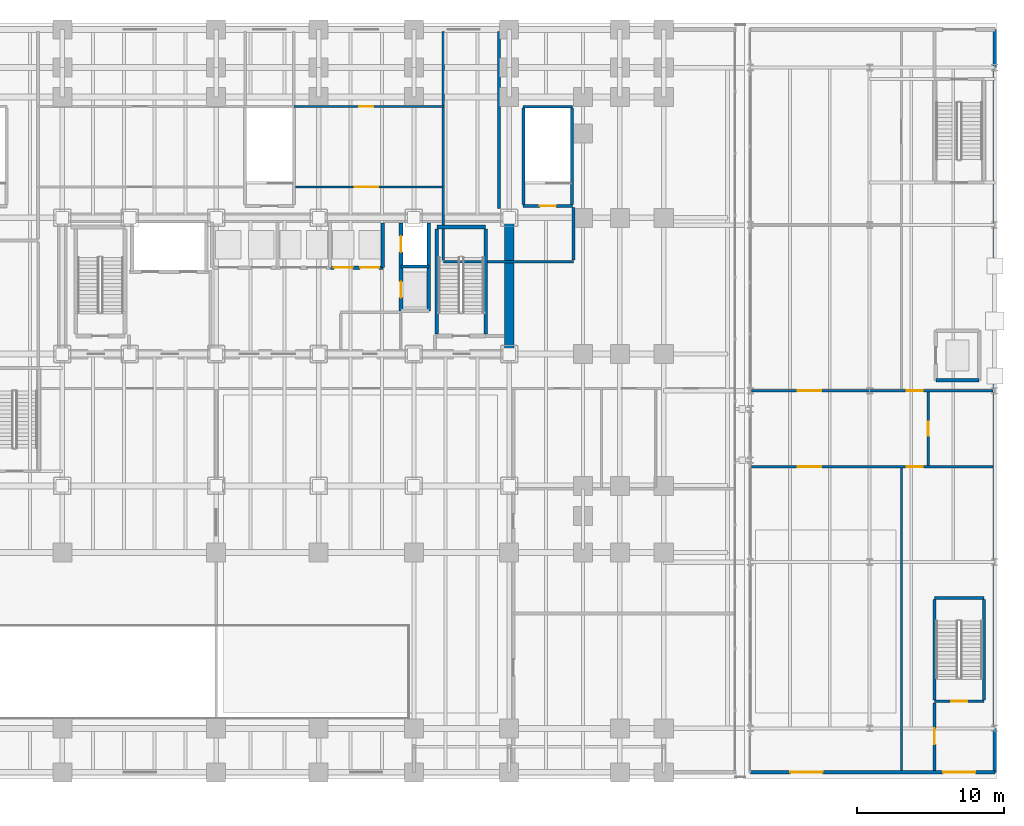
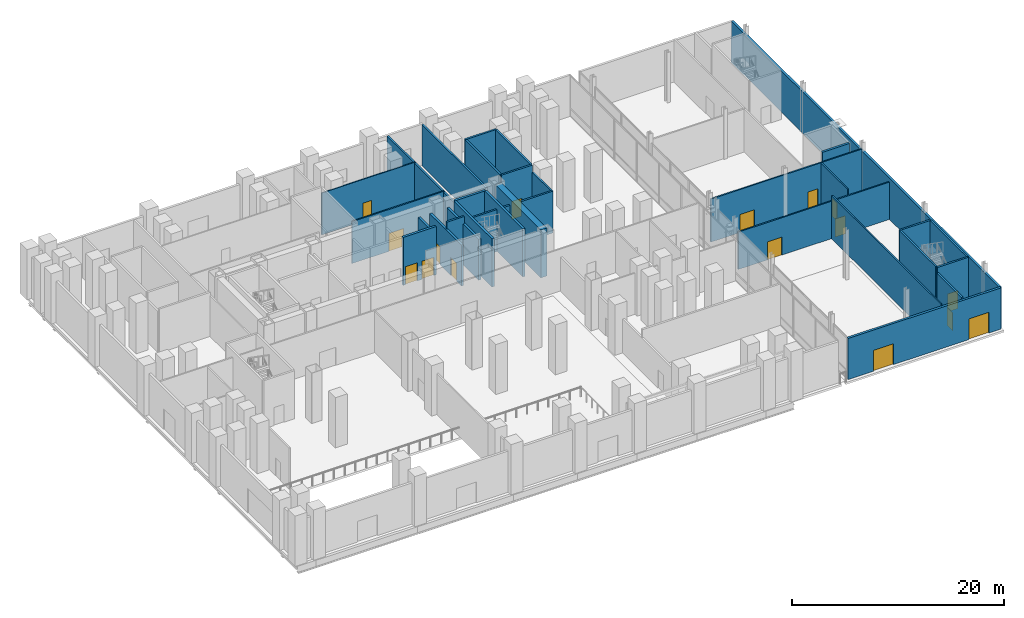
# One storey, part 25 of 36: 31 walls, 16 doors, 16 openings.
"""IFC4 building model written with IfcOpenShell, lengths in metres."""

from ifc_helpers import new_model, si_unit, direction, frame, frame_2d, origin, place, context, subcontext, project, spatial, rectangle, extrude, material, layer, layer_set, type_object, element, fill, save


model = new_model("IFC4")

# Units and contexts
model_context = context("Model", 3, precision=1e-05, world=origin(), true_north=direction((0.0, 1.0)))
body_context = subcontext(model_context, "Body", "Model", "MODEL_VIEW")
ifc_project = project(units=[si_unit("LENGTHUNIT", "METRE"), si_unit("AREAUNIT", "SQUARE_METRE"), si_unit("VOLUMEUNIT", "CUBIC_METRE"), si_unit("PLANEANGLEUNIT", "RADIAN"), si_unit("MASSUNIT", "GRAM", prefix="KILO")], contexts=[model_context])

# Site, building, storey
site_placement = place(None, origin())
site = spatial("IfcSite", under=ifc_project, at=site_placement, CompositionType="ELEMENT")
building_placement = place(site_placement, origin())
building = spatial("IfcBuilding", under=site, at=building_placement, Name="Noeulbin Bourse Tower", CompositionType="ELEMENT")
storey_placement = place(building_placement, origin())
storey = spatial("IfcBuildingStorey", under=building, at=storey_placement, Name="L01", CompositionType="ELEMENT", Elevation=0.0)

# Wall
ifc_material_1 = material(Name="Concrete C60/75", Category="concrete")
ifc_layer_1 = layer(ifc_material_1, 0.64990234375)
ifc_layer_set_1 = layer_set([ifc_layer_1], Name="Concrete C60/75")
wall_type_1 = type_object("IfcWallType", Name="WAL-CORE-650", PredefinedType="SHEAR", material=ifc_layer_set_1)
wall_1_placement = place(storey_placement, frame((44.0, 29.35009765625, 0.0), z_axis=(0.0, 0.0, 1.0), x_axis=(0.0, 1.0, 0.0)))
element("IfcWall", 1, at=wall_1_placement, inside=storey, type_object=wall_type_1, Name="Rear Core East Shear Wall L01", PredefinedType="SHEAR", context=body_context, shape_type="SweptSolid", body=[
    extrude(rectangle(XDim=8.599853515625, YDim=0.64990234375, at=frame_2d((4.2998046875, 0.0))), origin(), (0.0, 0.0, 1.0), 5.550048828125),
])

# Wall, openings, doors
ifc_material_2 = material(Name="Precast Concrete C40/50", Category="concrete")
ifc_layer_2 = layer(ifc_material_2, 0.25)
ifc_layer_set_2 = layer_set([ifc_layer_2], Name="Precast Concrete C40/50")
wall_type_2 = type_object("IfcWallType", Name="WAL-EXT-250", PredefinedType="STANDARD", material=ifc_layer_set_2)
wall_2_placement = place(storey_placement, frame((60.449951171875, 0.449951171875, 0.0), z_axis=(0.0, 0.0, 1.0), x_axis=(1.0, 0.0, 0.0)))
wall_2 = element("IfcWall", 2, at=wall_2_placement, inside=storey, type_object=wall_type_2, Name="Market Hall Ground South Wall", PredefinedType="STANDARD", context=body_context, shape_type="SweptSolid", body=[
    extrude(rectangle(XDim=16.699951171875, YDim=0.25, at=frame_2d((8.35009765625, 0.0))), origin(), (0.0, 0.0, 1.0), 4.75),
])
opening_1_placement = place(wall_2_placement, frame((2.75, 0.0, 0.0)))
opening_1 = element("IfcOpeningElement", 3, at=opening_1_placement, cuts=wall_2, Name="Opening ED-22", PredefinedType="OPENING", context=body_context, shape_type="SweptSolid", body=[
    extrude(rectangle(XDim=2.199951171875, YDim=2.39990234375, at=frame_2d((1.10009765625, 1.199951171875))), frame((0.0, 0.135009765625, 0.0), z_axis=(0.0, -1.0, 0.0), x_axis=(1.0, 0.0, 0.0)), (0.0, 0.0, 1.0), 0.27001953125),
])
opening_2_placement = place(wall_2_placement, frame((13.169921875, 0.0, 0.0)))
opening_2 = element("IfcOpeningElement", 4, at=opening_2_placement, cuts=wall_2, Name="Opening ED-22", PredefinedType="OPENING", context=body_context, shape_type="SweptSolid", body=[
    extrude(rectangle(XDim=2.199951171875, YDim=2.39990234375, at=frame_2d((1.10009765625, 1.199951171875))), frame((0.0, 0.135009765625, 0.0), z_axis=(0.0, -1.0, 0.0), x_axis=(1.0, 0.0, 0.0)), (0.0, 0.0, 1.0), 0.27001953125),
])
ifc_material_3 = material(Name="Anodised Aluminium Framed Toughened Glass", Category="aluminium")
door_type_1 = type_object("IfcDoorType", Name="DR-EXT-2200", OperationType="DOUBLE_DOOR_SINGLE_SWING", PredefinedType="DOOR", material=ifc_material_3)
door_1_placement = place(opening_1_placement, frame((2.199951171875, 0.0, 0.0), z_axis=(0.0, 0.0, 1.0), x_axis=(-1.0, 0.0, 0.0)))
door_1 = element("IfcDoor", 5, at=door_1_placement, inside=storey, type_object=door_type_1, Name="Market Hall Plaza Exit Portal ED-M1", OperationType="DOUBLE_DOOR_SINGLE_SWING", OverallHeight=2.39990234375, OverallWidth=2.199951171875, PredefinedType="DOOR", context=body_context, shape_type="SweptSolid", body=[
    extrude(rectangle(XDim=2.199951171875, YDim=2.39990234375, at=frame_2d((1.10009765625, 1.199951171875))), frame((0.0, 0.02490234375, 0.0), z_axis=(0.0, -1.0, 0.0), x_axis=(1.0, 0.0, 0.0)), (0.0, 0.0, 1.0), 0.050048828125),
])
fill(opening_1, door_1)
door_2_placement = place(opening_2_placement, frame((2.199951171875, 0.0, 0.0), z_axis=(0.0, 0.0, 1.0), x_axis=(-1.0, 0.0, 0.0)))
door_2 = element("IfcDoor", 6, at=door_2_placement, inside=storey, type_object=door_type_1, Name="Market Stair MST1 Direct Street Exit Portal ED-M2", OperationType="DOUBLE_DOOR_SINGLE_SWING", OverallHeight=2.39990234375, OverallWidth=2.199951171875, PredefinedType="DOOR", context=body_context, shape_type="SweptSolid", body=[
    extrude(rectangle(XDim=2.199951171875, YDim=2.39990234375, at=frame_2d((1.10009765625, 1.199951171875))), frame((0.0, 0.02490234375, 0.0), z_axis=(0.0, -1.0, 0.0), x_axis=(1.0, 0.0, 0.0)), (0.0, 0.0, 1.0), 0.050048828125),
])
fill(opening_2, door_2)

# Wall
wall_3_placement = place(storey_placement, frame((77.14990234375, 0.449951171875, 0.0), z_axis=(0.0, 0.0, 1.0), x_axis=(0.0, 1.0, 0.0)))
element("IfcWall", 7, at=wall_3_placement, inside=storey, type_object=wall_type_2, Name="Market Hall Ground East Wall", PredefinedType="STANDARD", context=body_context, shape_type="SweptSolid", body=[
    extrude(rectangle(XDim=50.699951171875, YDim=0.25, at=frame_2d((25.35009765625, 0.0))), origin(), (0.0, 0.0, 1.0), 4.75),
])

# Wall, opening, door
ifc_material_4 = material(Name="Concrete C40/50", Category="concrete")
ifc_layer_3 = layer(ifc_material_4, 0.199951171875)
ifc_layer_set_3 = layer_set([ifc_layer_3], Name="Concrete C40/50")
wall_type_3 = type_object("IfcWallType", Name="WAL-FIRE-200", PredefinedType="STANDARD", material=ifc_layer_set_3)
wall_4_placement = place(storey_placement, frame((44.9599609375, 39.10009765625, 0.0), z_axis=(0.0, 0.0, 1.0), x_axis=(1.0, 0.0, 0.0)))
wall_4 = element("IfcWall", 8, at=wall_4_placement, inside=storey, type_object=wall_type_3, Name="Stair STS3 South Wall L01", PredefinedType="STANDARD", context=body_context, shape_type="SweptSolid", body=[
    extrude(rectangle(XDim=3.360107421875, YDim=0.199951171875, at=frame_2d((1.68017578125, 0.0))), origin(), (0.0, 0.0, 1.0), 5.550048828125),
])
opening_3_placement = place(wall_4_placement, frame((1.1298828125, 0.0, 0.0)))
opening_3 = element("IfcOpeningElement", 9, at=opening_3_placement, cuts=wall_4, Name="Opening FD-11", PredefinedType="OPENING", context=body_context, shape_type="SweptSolid", body=[
    extrude(rectangle(XDim=1.10009765625, YDim=2.080078125, at=frame_2d((0.550048828125, 1.0400390625))), frame((0.0, 0.10986328125, 0.0), z_axis=(0.0, -1.0, 0.0), x_axis=(1.0, 0.0, 0.0)), (0.0, 0.0, 1.0), 0.219970703125),
])
ifc_material_5 = material(Name="Fire-Rated Insulated Steel", Category="steel")
door_type_2 = type_object("IfcDoorType", Name="DR-FD60-1100", OperationType="SINGLE_SWING_LEFT", PredefinedType="DOOR", material=ifc_material_5)
door_3_placement = place(opening_3_placement, origin())
door_3 = element("IfcDoor", 10, at=door_3_placement, inside=storey, type_object=door_type_2, Name="Escape Stair Door STS3-L01", OperationType="SINGLE_SWING_RIGHT", OverallHeight=2.080078125, OverallWidth=1.10009765625, PredefinedType="DOOR", context=body_context, shape_type="SweptSolid", body=[
    extrude(rectangle(XDim=1.10009765625, YDim=2.080078125, at=frame_2d((0.550048828125, 1.0400390625))), frame((0.0, 0.02490234375, 0.0), z_axis=(0.0, -1.0, 0.0), x_axis=(1.0, 0.0, 0.0)), (0.0, 0.0, 1.0), 0.050048828125),
])
fill(opening_3, door_3)

# Walls
wall_5_placement = place(storey_placement, frame((44.9599609375, 45.8798828125, 0.0), z_axis=(0.0, 0.0, 1.0), x_axis=(1.0, 0.0, 0.0)))
element("IfcWall", 11, at=wall_5_placement, inside=storey, type_object=wall_type_3, Name="Stair STS3 North Wall L01", PredefinedType="STANDARD", context=body_context, shape_type="SweptSolid", body=[
    extrude(rectangle(XDim=3.360107421875, YDim=0.199951171875, at=frame_2d((1.68017578125, 0.0))), origin(), (0.0, 0.0, 1.0), 5.550048828125),
])
for number, where, z_axis, x_axis, name in (
    (12, (44.97998046875, 39.199951171875, 0.0), (0.0, 0.0, 1.0), (0.0, 1.0, 0.0), "Stair STS3 West Wall L01"),
    (13, (48.300048828125, 39.199951171875, 0.0), (0.0, 0.0, 1.0), (0.0, 1.0, 0.0), "Stair STS3 East Wall L01"),
):
    element("IfcWall", number, at=place(storey_placement, frame(where, z_axis=z_axis, x_axis=x_axis)), inside=storey, type_object=wall_type_3, Name=name, PredefinedType="STANDARD", context=body_context, shape_type="SweptSolid", body=[
        extrude(rectangle(XDim=6.580078125, YDim=0.199951171875, at=frame_2d((3.2900390625, 0.0))), origin(), (0.0, 0.0, 1.0), 5.550048828125),
    ])

# Wall, opening, door
wall_6_placement = place(storey_placement, frame((73.02001953125, 5.300048828125, 0.0), z_axis=(0.0, 0.0, 1.0), x_axis=(1.0, 0.0, 0.0)))
wall_6 = element("IfcWall", 14, at=wall_6_placement, inside=storey, type_object=wall_type_3, Name="Stair MST1 South Wall L01", PredefinedType="STANDARD", context=body_context, shape_type="SweptSolid", body=[
    extrude(rectangle(XDim=3.39990234375, YDim=0.199951171875, at=frame_2d((1.699951171875, 0.0))), origin(), (0.0, 0.0, 1.0), 5.580078125),
])
opening_4_placement = place(wall_6_placement, frame((1.14990234375, 0.0, 0.0)))
opening_4 = element("IfcOpeningElement", 15, at=opening_4_placement, cuts=wall_6, Name="Opening FD-11", PredefinedType="OPENING", context=body_context, shape_type="SweptSolid", body=[
    extrude(rectangle(XDim=1.10009765625, YDim=2.080078125, at=frame_2d((0.550048828125, 1.0400390625))), frame((0.0, 0.10986328125, 0.0), z_axis=(0.0, -1.0, 0.0), x_axis=(1.0, 0.0, 0.0)), (0.0, 0.0, 1.0), 0.219970703125),
])
door_4_placement = place(opening_4_placement, origin())
door_4 = element("IfcDoor", 16, at=door_4_placement, inside=storey, type_object=door_type_2, Name="Escape Stair Door MST1-L01", OperationType="SINGLE_SWING_RIGHT", OverallHeight=2.080078125, OverallWidth=1.10009765625, PredefinedType="DOOR", context=body_context, shape_type="SweptSolid", body=[
    extrude(rectangle(XDim=1.10009765625, YDim=2.080078125, at=frame_2d((0.550048828125, 1.0400390625))), frame((0.0, 0.02490234375, 0.0), z_axis=(0.0, -1.0, 0.0), x_axis=(1.0, 0.0, 0.0)), (0.0, 0.0, 1.0), 0.050048828125),
])
fill(opening_4, door_4)

# Walls
wall_7_placement = place(storey_placement, frame((73.02001953125, 12.360107421875, 0.0), z_axis=(0.0, 0.0, 1.0), x_axis=(1.0, 0.0, 0.0)))
element("IfcWall", 17, at=wall_7_placement, inside=storey, type_object=wall_type_3, Name="Stair MST1 North Wall L01", PredefinedType="STANDARD", context=body_context, shape_type="SweptSolid", body=[
    extrude(rectangle(XDim=3.39990234375, YDim=0.199951171875, at=frame_2d((1.699951171875, 0.0))), origin(), (0.0, 0.0, 1.0), 5.580078125),
])
for number, where, z_axis, x_axis, name in (
    (18, (73.0400390625, 5.39990234375, 0.0), (0.0, 0.0, 1.0), (0.0, 1.0, 0.0), "Stair MST1 West Wall L01"),
    (19, (76.39990234375, 5.39990234375, 0.0), (0.0, 0.0, 1.0), (0.0, 1.0, 0.0), "Stair MST1 East Wall L01"),
):
    element("IfcWall", number, at=place(storey_placement, frame(where, z_axis=z_axis, x_axis=x_axis)), inside=storey, type_object=wall_type_3, Name=name, PredefinedType="STANDARD", context=body_context, shape_type="SweptSolid", body=[
        extrude(rectangle(XDim=6.860107421875, YDim=0.199951171875, at=frame_2d((3.43017578125, 0.0))), origin(), (0.0, 0.0, 1.0), 5.580078125),
    ])
wall_8_placement = place(storey_placement, frame((39.5, 35.300048828125, 0.0), z_axis=(0.0, 0.0, 1.0), x_axis=(1.0, 0.0, 0.0)))
element("IfcWall", 20, at=wall_8_placement, inside=storey, type_object=wall_type_3, Name="Interior Partition Wall L01-05", PredefinedType="STANDARD", context=body_context, shape_type="SweptSolid", body=[
    extrude(rectangle(XDim=8.89990234375, YDim=0.199951171875, at=frame_2d((4.449951171875, 0.0))), origin(), (0.0, 0.0, 1.0), 4.830078125),
])
wall_9_placement = place(storey_placement, frame((48.39990234375, 35.409912109375, 0.0), z_axis=(0.0, 0.0, 1.0), x_axis=(0.0, 1.0, 0.0)))
element("IfcWall", 21, at=wall_9_placement, inside=storey, type_object=wall_type_3, Name="Interior Partition Wall L01-22", PredefinedType="STANDARD", context=body_context, shape_type="SweptSolid", body=[
    extrude(rectangle(XDim=3.580078125, YDim=0.199951171875, at=frame_2d((1.7900390625, 0.0))), origin(), (0.0, 0.0, 1.0), 4.72998046875),
])
wall_10_placement = place(storey_placement, frame((39.5, 35.409912109375, 0.0), z_axis=(0.0, 0.0, 1.0), x_axis=(0.0, 1.0, 0.0)))
element("IfcWall", 22, at=wall_10_placement, inside=storey, type_object=wall_type_3, Name="Interior Partition Wall L01-23", PredefinedType="STANDARD", context=body_context, shape_type="SweptSolid", body=[
    extrude(rectangle(XDim=15.6201171875, YDim=0.199951171875, at=frame_2d((7.81005859375, 0.0))), origin(), (0.0, 0.0, 1.0), 4.72998046875),
])
wall_11_placement = place(storey_placement, frame((43.300048828125, 38.949951171875, 0.0), z_axis=(0.0, 0.0, 1.0), x_axis=(0.0, 1.0, 0.0)))
element("IfcWall", 23, at=wall_11_placement, inside=storey, type_object=wall_type_3, Name="Interior Partition Wall L01-24", PredefinedType="STANDARD", context=body_context, shape_type="SweptSolid", body=[
    extrude(rectangle(XDim=12.080078125, YDim=0.199951171875, at=frame_2d((6.0400390625, 0.0))), origin(), (0.0, 0.0, 1.0), 4.72998046875),
])

# Wall, opening, door
wall_12_placement = place(storey_placement, frame((73.0400390625, 0.570068359375, 0.0), z_axis=(0.0, 0.0, 1.0), x_axis=(0.0, 1.0, 0.0)))
wall_12 = element("IfcWall", 24, at=wall_12_placement, inside=storey, type_object=wall_type_3, Name="Interior Partition Wall L01-25", PredefinedType="STANDARD", context=body_context, shape_type="SweptSolid", body=[
    extrude(rectangle(XDim=4.619873046875, YDim=0.199951171875, at=frame_2d((2.31005859375, 0.0))), origin(), (0.0, 0.0, 1.0), 4.9599609375),
])
opening_5_placement = place(wall_12_placement, frame((1.780029296875, 0.0, 0.0)))
opening_5 = element("IfcOpeningElement", 25, at=opening_5_placement, cuts=wall_12, Name="Opening FD-11", PredefinedType="OPENING", context=body_context, shape_type="SweptSolid", body=[
    extrude(rectangle(XDim=1.10009765625, YDim=2.080078125, at=frame_2d((0.550048828125, 1.0400390625))), frame((0.0, 0.10986328125, 0.0), z_axis=(0.0, -1.0, 0.0), x_axis=(1.0, 0.0, 0.0)), (0.0, 0.0, 1.0), 0.219970703125),
])
door_5_placement = place(opening_5_placement, origin())
door_5 = element("IfcDoor", 26, at=door_5_placement, inside=storey, type_object=door_type_2, Name="Market Stair Exit Passageway Door", OperationType="SINGLE_SWING_LEFT", OverallHeight=2.080078125, OverallWidth=1.10009765625, PredefinedType="DOOR", context=body_context, shape_type="SweptSolid", body=[
    extrude(rectangle(XDim=1.10009765625, YDim=2.080078125, at=frame_2d((0.550048828125, 1.0400390625))), frame((0.0, 0.02490234375, 0.0), z_axis=(0.0, -1.0, 0.0), x_axis=(1.0, 0.0, 0.0)), (0.0, 0.0, 1.0), 0.050048828125),
])
fill(opening_5, door_5)

ifc_material_6 = material(Name="Steel Stud Gypsum Partition", Category="steel")
ifc_layer_4 = layer(ifc_material_6, 0.1201171875)
ifc_layer_set_4 = layer_set([ifc_layer_4], Name="Steel Stud Gypsum Partition")
wall_type_4 = type_object("IfcWallType", Name="WAL-PRT-120", PredefinedType="PARTITIONING", material=ifc_layer_set_4)
wall_13_placement = place(storey_placement, frame((29.300048828125, 45.89990234375, 0.0), z_axis=(0.0, 0.0, 1.0), x_axis=(1.0, 0.0, 0.0)))
wall_13 = element("IfcWall", 27, at=wall_13_placement, inside=storey, type_object=wall_type_4, Name="Interior Partition Wall L01-04", PredefinedType="PARTITIONING", context=body_context, shape_type="SweptSolid", body=[
    extrude(rectangle(XDim=10.199951171875, YDim=0.1201171875, at=frame_2d((5.10009765625, 0.0))), origin(), (0.0, 0.0, 1.0), 4.830078125),
])
opening_6_placement = place(wall_13_placement, frame((4.47509765625, 0.0, 0.0)))
opening_6 = element("IfcOpeningElement", 28, at=opening_6_placement, cuts=wall_13, Name="Opening ID-09", PredefinedType="OPENING", context=body_context, shape_type="SweptSolid", body=[
    extrude(rectangle(XDim=0.949951171875, YDim=2.080078125, at=frame_2d((0.47509765625, 1.0400390625))), frame((0.0, 0.070068359375, 0.0), z_axis=(0.0, -1.0, 0.0), x_axis=(1.0, 0.0, 0.0)), (0.0, 0.0, 1.0), 0.14013671875),
])
ifc_material_7 = material(Name="Acoustic Solid-Core Timber", Category="wood")
door_type_3 = type_object("IfcDoorType", Name="DR-SINGLE-950", OperationType="SINGLE_SWING_LEFT", PredefinedType="DOOR", material=ifc_material_7)
door_6_placement = place(opening_6_placement, origin())
door_6 = element("IfcDoor", 29, at=door_6_placement, inside=storey, type_object=door_type_3, Name="Interior Door L01-14", OperationType="SINGLE_SWING_RIGHT", OverallHeight=2.080078125, OverallWidth=0.949951171875, PredefinedType="DOOR", context=body_context, shape_type="SweptSolid", body=[
    extrude(rectangle(XDim=0.949951171875, YDim=2.080078125, at=frame_2d((0.47509765625, 1.0400390625))), frame((0.0, 0.02490234375, 0.0), z_axis=(0.0, -1.0, 0.0), x_axis=(1.0, 0.0, 0.0)), (0.0, 0.0, 1.0), 0.050048828125),
])
fill(opening_6, door_6)

ifc_material_8 = material(Name="Steel Stud Acoustic Gypsum Board", Category="steel")
ifc_layer_5 = layer(ifc_material_8, 0.14990234375)
ifc_layer_set_5 = layer_set([ifc_layer_5], Name="Steel Stud Acoustic Gypsum Board")
wall_type_5 = type_object("IfcWallType", Name="WAL-PRT-150", PredefinedType="PARTITIONING", material=ifc_layer_set_5)
wall_14_placement = place(storey_placement, frame((29.409912109375, 40.39990234375, 0.0), z_axis=(0.0, 0.0, 1.0), x_axis=(1.0, 0.0, 0.0)))
wall_14 = element("IfcWall", 30, at=wall_14_placement, inside=storey, type_object=wall_type_5, Name="Interior Partition Wall L01-10", PredefinedType="PARTITIONING", context=body_context, shape_type="SweptSolid", body=[
    extrude(rectangle(XDim=10.090087890625, YDim=0.14990234375, at=frame_2d((5.044921875, 0.0))), origin(), (0.0, 0.0, 1.0), 4.830078125),
])
opening_7_placement = place(wall_14_placement, frame((4.0400390625, 0.0, 0.0)))
opening_7 = element("IfcOpeningElement", 31, at=opening_7_placement, cuts=wall_14, Name="Opening ID-16", PredefinedType="OPENING", context=body_context, shape_type="SweptSolid", body=[
    extrude(rectangle(XDim=1.60009765625, YDim=2.080078125, at=frame_2d((0.800048828125, 1.0400390625))), frame((0.0, 0.0849609375, 0.0), z_axis=(0.0, -1.0, 0.0), x_axis=(1.0, 0.0, 0.0)), (0.0, 0.0, 1.0), 0.169921875),
])
ifc_material_9 = material(Name="Acoustic Glazed Aluminium", Category="aluminium")
door_type_4 = type_object("IfcDoorType", Name="DR-DBL-1600", OperationType="DOUBLE_DOOR_SINGLE_SWING", PredefinedType="DOOR", material=ifc_material_9)
door_7_placement = place(opening_7_placement, origin())
door_7 = element("IfcDoor", 32, at=door_7_placement, inside=storey, type_object=door_type_4, Name="Interior Door L01-12", OperationType="DOUBLE_DOOR_SINGLE_SWING", OverallHeight=2.080078125, OverallWidth=1.60009765625, PredefinedType="DOOR", context=body_context, shape_type="SweptSolid", body=[
    extrude(rectangle(XDim=1.60009765625, YDim=2.080078125, at=frame_2d((0.800048828125, 1.0400390625))), frame((0.0, 0.02490234375, 0.0), z_axis=(0.0, -1.0, 0.0), x_axis=(1.0, 0.0, 0.0)), (0.0, 0.0, 1.0), 0.050048828125),
])
fill(opening_7, door_7)

# Wall, openings, doors
wall_15_placement = place(storey_placement, frame((60.530029296875, 21.300048828125, 0.0), z_axis=(0.0, 0.0, 1.0), x_axis=(1.0, 0.0, 0.0)))
wall_15 = element("IfcWall", 33, at=wall_15_placement, inside=storey, type_object=wall_type_5, Name="Interior Partition Wall L01-11", PredefinedType="PARTITIONING", context=body_context, shape_type="SweptSolid", body=[
    extrude(rectangle(XDim=16.5, YDim=0.14990234375, at=frame_2d((8.25, 0.0))), origin(), (0.0, 0.0, 1.0), 4.31005859375),
])
opening_8_placement = place(wall_15_placement, frame((3.169921875, 0.0, 0.0)))
opening_8 = element("IfcOpeningElement", 34, at=opening_8_placement, cuts=wall_15, Name="Opening ID-16", PredefinedType="OPENING", context=body_context, shape_type="SweptSolid", body=[
    extrude(rectangle(XDim=1.60009765625, YDim=2.080078125, at=frame_2d((0.800048828125, 1.0400390625))), frame((0.0, 0.0849609375, 0.0), z_axis=(0.0, -1.0, 0.0), x_axis=(1.0, 0.0, 0.0)), (0.0, 0.0, 1.0), 0.169921875),
])
opening_9_placement = place(wall_15_placement, frame((10.60009765625, 0.0, 0.0)))
opening_9 = element("IfcOpeningElement", 35, at=opening_9_placement, cuts=wall_15, Name="Opening FD-11", PredefinedType="OPENING", context=body_context, shape_type="SweptSolid", body=[
    extrude(rectangle(XDim=1.10009765625, YDim=2.080078125, at=frame_2d((0.550048828125, 1.0400390625))), frame((0.0, 0.0849609375, 0.0), z_axis=(0.0, -1.0, 0.0), x_axis=(1.0, 0.0, 0.0)), (0.0, 0.0, 1.0), 0.169921875),
])
door_8_placement = place(opening_8_placement, origin())
door_8 = element("IfcDoor", 36, at=door_8_placement, inside=storey, type_object=door_type_4, Name="Interior Door L01-15", OperationType="DOUBLE_DOOR_SINGLE_SWING", OverallHeight=2.080078125, OverallWidth=1.60009765625, PredefinedType="DOOR", context=body_context, shape_type="SweptSolid", body=[
    extrude(rectangle(XDim=1.60009765625, YDim=2.080078125, at=frame_2d((0.800048828125, 1.0400390625))), frame((0.0, 0.02490234375, 0.0), z_axis=(0.0, -1.0, 0.0), x_axis=(1.0, 0.0, 0.0)), (0.0, 0.0, 1.0), 0.050048828125),
])
fill(opening_8, door_8)
door_9_placement = place(opening_9_placement, origin())
door_9 = element("IfcDoor", 37, at=door_9_placement, inside=storey, type_object=door_type_2, Name="Interior Door L01-18", OperationType="SINGLE_SWING_RIGHT", OverallHeight=2.080078125, OverallWidth=1.10009765625, PredefinedType="DOOR", context=body_context, shape_type="SweptSolid", body=[
    extrude(rectangle(XDim=1.10009765625, YDim=2.080078125, at=frame_2d((0.550048828125, 1.0400390625))), frame((0.0, 0.02490234375, 0.0), z_axis=(0.0, -1.0, 0.0), x_axis=(1.0, 0.0, 0.0)), (0.0, 0.0, 1.0), 0.050048828125),
])
fill(opening_9, door_9)

wall_16_placement = place(storey_placement, frame((60.530029296875, 26.5, 0.0), z_axis=(0.0, 0.0, 1.0), x_axis=(1.0, 0.0, 0.0)))
wall_16 = element("IfcWall", 38, at=wall_16_placement, inside=storey, type_object=wall_type_5, Name="Interior Partition Wall L01-12", PredefinedType="PARTITIONING", context=body_context, shape_type="SweptSolid", body=[
    extrude(rectangle(XDim=16.5, YDim=0.14990234375, at=frame_2d((8.25, 0.0))), origin(), (0.0, 0.0, 1.0), 4.9599609375),
])
opening_10_placement = place(wall_16_placement, frame((3.169921875, 0.0, 0.0)))
opening_10 = element("IfcOpeningElement", 39, at=opening_10_placement, cuts=wall_16, Name="Opening ID-16", PredefinedType="OPENING", context=body_context, shape_type="SweptSolid", body=[
    extrude(rectangle(XDim=1.60009765625, YDim=2.080078125, at=frame_2d((0.800048828125, 1.0400390625))), frame((0.0, 0.0849609375, 0.0), z_axis=(0.0, -1.0, 0.0), x_axis=(1.0, 0.0, 0.0)), (0.0, 0.0, 1.0), 0.169921875),
])
opening_11_placement = place(wall_16_placement, frame((10.60009765625, 0.0, 0.0)))
opening_11 = element("IfcOpeningElement", 40, at=opening_11_placement, cuts=wall_16, Name="Opening FD-11", PredefinedType="OPENING", context=body_context, shape_type="SweptSolid", body=[
    extrude(rectangle(XDim=1.10009765625, YDim=2.080078125, at=frame_2d((0.550048828125, 1.0400390625))), frame((0.0, 0.0849609375, 0.0), z_axis=(0.0, -1.0, 0.0), x_axis=(1.0, 0.0, 0.0)), (0.0, 0.0, 1.0), 0.169921875),
])
door_10_placement = place(opening_10_placement, origin())
door_10 = element("IfcDoor", 41, at=door_10_placement, inside=storey, type_object=door_type_4, Name="Interior Door L01-16", OperationType="DOUBLE_DOOR_SINGLE_SWING", OverallHeight=2.080078125, OverallWidth=1.60009765625, PredefinedType="DOOR", context=body_context, shape_type="SweptSolid", body=[
    extrude(rectangle(XDim=1.60009765625, YDim=2.080078125, at=frame_2d((0.800048828125, 1.0400390625))), frame((0.0, 0.02490234375, 0.0), z_axis=(0.0, -1.0, 0.0), x_axis=(1.0, 0.0, 0.0)), (0.0, 0.0, 1.0), 0.050048828125),
])
fill(opening_10, door_10)
door_11_placement = place(opening_11_placement, origin())
door_11 = element("IfcDoor", 42, at=door_11_placement, inside=storey, type_object=door_type_2, Name="Interior Door L01-19", OperationType="SINGLE_SWING_LEFT", OverallHeight=2.080078125, OverallWidth=1.10009765625, PredefinedType="DOOR", context=body_context, shape_type="SweptSolid", body=[
    extrude(rectangle(XDim=1.10009765625, YDim=2.080078125, at=frame_2d((0.550048828125, 1.0400390625))), frame((0.0, 0.02490234375, 0.0), z_axis=(0.0, -1.0, 0.0), x_axis=(1.0, 0.0, 0.0)), (0.0, 0.0, 1.0), 0.050048828125),
])
fill(opening_11, door_11)

# Wall, opening, door
wall_17_placement = place(storey_placement, frame((72.60009765625, 21.385009765625, 0.0), z_axis=(0.0, 0.0, 1.0), x_axis=(0.0, 1.0, 0.0)))
wall_17 = element("IfcWall", 43, at=wall_17_placement, inside=storey, type_object=wall_type_5, Name="Interior Partition Wall L01-32", PredefinedType="PARTITIONING", context=body_context, shape_type="SweptSolid", body=[
    extrude(rectangle(XDim=5.030029296875, YDim=0.14990234375, at=frame_2d((2.51513671875, 0.0))), origin(), (0.0, 0.0, 1.0), 4.9599609375),
])
opening_12_placement = place(wall_17_placement, frame((2.0400390625, 0.0, 0.0)))
opening_12 = element("IfcOpeningElement", 44, at=opening_12_placement, cuts=wall_17, Name="Opening ID-09", PredefinedType="OPENING", context=body_context, shape_type="SweptSolid", body=[
    extrude(rectangle(XDim=0.949951171875, YDim=2.080078125, at=frame_2d((0.47509765625, 1.0400390625))), frame((0.0, 0.0849609375, 0.0), z_axis=(0.0, -1.0, 0.0), x_axis=(1.0, 0.0, 0.0)), (0.0, 0.0, 1.0), 0.169921875),
])
door_12_placement = place(opening_12_placement, origin())
door_12 = element("IfcDoor", 45, at=door_12_placement, inside=storey, type_object=door_type_3, Name="Market Ground Washroom Door", OperationType="SINGLE_SWING_RIGHT", OverallHeight=2.080078125, OverallWidth=0.949951171875, PredefinedType="DOOR", context=body_context, shape_type="SweptSolid", body=[
    extrude(rectangle(XDim=0.949951171875, YDim=2.080078125, at=frame_2d((0.47509765625, 1.0400390625))), frame((0.0, 0.02490234375, 0.0), z_axis=(0.0, -1.0, 0.0), x_axis=(1.0, 0.0, 0.0)), (0.0, 0.0, 1.0), 0.050048828125),
])
fill(opening_12, door_12)

# Walls
wall_18_placement = place(storey_placement, frame((70.780029296875, 0.570068359375, 0.0), z_axis=(0.0, 0.0, 1.0), x_axis=(0.0, 1.0, 0.0)))
element("IfcWall", 46, at=wall_18_placement, inside=storey, type_object=wall_type_5, Name="Interior Partition Wall L01-33", PredefinedType="PARTITIONING", context=body_context, shape_type="SweptSolid", body=[
    extrude(rectangle(XDim=20.64501953125, YDim=0.14990234375, at=frame_2d((10.322509765625, 0.0))), origin(), (0.0, 0.0, 1.0), 4.9599609375),
])
ifc_layer_6 = layer(ifc_material_4, 0.25)
ifc_layer_set_6 = layer_set([ifc_layer_6], Name="Concrete C40/50")
wall_type_6 = type_object("IfcWallType", Name="WAL-SHFT-250", PredefinedType="STANDARD", material=ifc_layer_set_6)
wall_19_placement = place(storey_placement, frame((39.06005859375, 37.6689453125, 0.0), z_axis=(0.0, 0.0, 1.0), x_axis=(1.0, 0.0, 0.0)))
element("IfcWall", 47, at=wall_19_placement, inside=storey, type_object=wall_type_6, Name="Stair ST-2 North Shaft Wall L01", PredefinedType="STANDARD", context=body_context, shape_type="SweptSolid", body=[
    extrude(rectangle(XDim=3.33984375, YDim=0.25, at=frame_2d((1.669921875, 0.0))), origin(), (0.0, 0.0, 1.0), 5.550048828125),
])
for number, where, z_axis, x_axis, name in (
    (48, (39.054931640625, 30.360107421875, 0.0), (0.0, 0.0, 1.0), (0.0, 1.0, 0.0), "Stair ST-2 West Shaft Wall L01"),
    (49, (42.405029296875, 30.360107421875, 0.0), (0.0, 0.0, 1.0), (0.0, 1.0, 0.0), "Stair ST-2 East Shaft Wall L01"),
):
    element("IfcWall", number, at=place(storey_placement, frame(where, z_axis=z_axis, x_axis=x_axis)), inside=storey, type_object=wall_type_6, Name=name, PredefinedType="STANDARD", context=body_context, shape_type="SweptSolid", body=[
        extrude(rectangle(XDim=7.183837890625, YDim=0.25, at=frame_2d((3.591796875, 0.0))), origin(), (0.0, 0.0, 1.0), 5.550048828125),
    ])

# Wall, openings, doors
wall_20_placement = place(storey_placement, frame((36.6201171875, 31.949951171875, 0.0), z_axis=(0.0, 0.0, 1.0), x_axis=(0.0, 1.0, 0.0)))
wall_20 = element("IfcWall", 50, at=wall_20_placement, inside=storey, type_object=wall_type_6, Name="Service Lift Shaft Wall L01", PredefinedType="STANDARD", context=body_context, shape_type="SweptSolid", body=[
    extrude(rectangle(XDim=6.0, YDim=0.25, at=frame_2d((3.0, 0.0))), origin(), (0.0, 0.0, 1.0), 4.72998046875),
])
opening_13_placement = place(wall_20_placement, frame((0.89990234375, 0.0, 0.0)))
opening_13 = element("IfcOpeningElement", 51, at=opening_13_placement, cuts=wall_20, Name="Opening LD-11", PredefinedType="OPENING", context=body_context, shape_type="SweptSolid", body=[
    extrude(rectangle(XDim=1.10009765625, YDim=2.080078125, at=frame_2d((0.550048828125, 1.0400390625))), frame((0.0, 0.135009765625, 0.0), z_axis=(0.0, -1.0, 0.0), x_axis=(1.0, 0.0, 0.0)), (0.0, 0.0, 1.0), 0.27001953125),
])
opening_14_placement = place(wall_20_placement, frame((4.0, 0.0, 0.0)))
opening_14 = element("IfcOpeningElement", 52, at=opening_14_placement, cuts=wall_20, Name="Opening LD-11", PredefinedType="OPENING", context=body_context, shape_type="SweptSolid", body=[
    extrude(rectangle(XDim=1.10009765625, YDim=2.080078125, at=frame_2d((0.550048828125, 1.0400390625))), frame((0.0, 0.135009765625, 0.0), z_axis=(0.0, -1.0, 0.0), x_axis=(1.0, 0.0, 0.0)), (0.0, 0.0, 1.0), 0.27001953125),
])
ifc_material_10 = material(Name="Brushed Stainless Steel 316", Category="steel")
door_type_5 = type_object("IfcDoorType", Name="DR-LIFT-1100", OperationType="SLIDING_TO_LEFT", PredefinedType="DOOR", material=ifc_material_10)
door_13_placement = place(opening_13_placement, origin())
door_13 = element("IfcDoor", 53, at=door_13_placement, inside=storey, type_object=door_type_5, Name="Lift Landing Door LD-EL-01-L01", OperationType="SLIDING_TO_LEFT", OverallHeight=2.080078125, OverallWidth=1.10009765625, PredefinedType="DOOR", context=body_context, shape_type="SweptSolid", body=[
    extrude(rectangle(XDim=1.10009765625, YDim=2.080078125, at=frame_2d((0.550048828125, 1.0400390625))), frame((0.0, 0.02490234375, 0.0), z_axis=(0.0, -1.0, 0.0), x_axis=(1.0, 0.0, 0.0)), (0.0, 0.0, 1.0), 0.050048828125),
])
fill(opening_13, door_13)
door_14_placement = place(opening_14_placement, origin())
door_14 = element("IfcDoor", 54, at=door_14_placement, inside=storey, type_object=door_type_5, Name="Lift Landing Door LD-SV-01-L01", OperationType="SLIDING_TO_LEFT", OverallHeight=2.080078125, OverallWidth=1.10009765625, PredefinedType="DOOR", context=body_context, shape_type="SweptSolid", body=[
    extrude(rectangle(XDim=1.10009765625, YDim=2.080078125, at=frame_2d((0.550048828125, 1.0400390625))), frame((0.0, 0.02490234375, 0.0), z_axis=(0.0, -1.0, 0.0), x_axis=(1.0, 0.0, 0.0)), (0.0, 0.0, 1.0), 0.050048828125),
])
fill(opening_14, door_14)

# Walls
wall_21_placement = place(storey_placement, frame((38.52001953125, 31.949951171875, 0.0), z_axis=(0.0, 0.0, 1.0), x_axis=(0.0, 1.0, 0.0)))
element("IfcWall", 55, at=wall_21_placement, inside=storey, type_object=wall_type_6, Name="Service Lift East Shaft Wall L01", PredefinedType="STANDARD", context=body_context, shape_type="SweptSolid", body=[
    extrude(rectangle(XDim=6.0, YDim=0.25, at=frame_2d((3.0, 0.0))), origin(), (0.0, 0.0, 1.0), 4.72998046875),
])
wall_22_placement = place(storey_placement, frame((35.360107421875, 34.89990234375, 0.0), z_axis=(0.0, 0.0, 1.0), x_axis=(0.0, 1.0, 0.0)))
element("IfcWall", 56, at=wall_22_placement, inside=storey, type_object=wall_type_6, Name="High-Rise Lift East Shaft Wall L01", PredefinedType="STANDARD", context=body_context, shape_type="SweptSolid", body=[
    extrude(rectangle(XDim=3.050048828125, YDim=0.25, at=frame_2d((1.52490234375, 0.0))), origin(), (0.0, 0.0, 1.0), 4.72998046875),
])

# Wall, openings, doors
wall_23_placement = place(storey_placement, frame((31.800048828125, 34.89990234375, 0.0), z_axis=(0.0, 0.0, 1.0), x_axis=(1.0, 0.0, 0.0)))
wall_23 = element("IfcWall", 57, at=wall_23_placement, inside=storey, type_object=wall_type_6, Name="High-Rise Lift Bank Front L01", PredefinedType="STANDARD", context=body_context, shape_type="SweptSolid", body=[
    extrude(rectangle(XDim=3.599853515625, YDim=0.25, at=frame_2d((1.7998046875, 0.0))), origin(), (0.0, 0.0, 1.0), 5.550048828125),
])
opening_15_placement = place(wall_23_placement, frame((0.22998046875, 0.0, 0.0)))
opening_15 = element("IfcOpeningElement", 58, at=opening_15_placement, cuts=wall_23, Name="Opening LD-13", PredefinedType="OPENING", context=body_context, shape_type="SweptSolid", body=[
    extrude(rectangle(XDim=1.300048828125, YDim=2.080078125, at=frame_2d((0.64990234375, 1.0400390625))), frame((0.0, 0.135009765625, 0.0), z_axis=(0.0, -1.0, 0.0), x_axis=(1.0, 0.0, 0.0)), (0.0, 0.0, 1.0), 0.27001953125),
])
opening_16_placement = place(wall_23_placement, frame((2.030029296875, 0.0, 0.0)))
opening_16 = element("IfcOpeningElement", 59, at=opening_16_placement, cuts=wall_23, Name="Opening LD-13", PredefinedType="OPENING", context=body_context, shape_type="SweptSolid", body=[
    extrude(rectangle(XDim=1.300048828125, YDim=2.080078125, at=frame_2d((0.64990234375, 1.0400390625))), frame((0.0, 0.135009765625, 0.0), z_axis=(0.0, -1.0, 0.0), x_axis=(1.0, 0.0, 0.0)), (0.0, 0.0, 1.0), 0.27001953125),
])
door_type_6 = type_object("IfcDoorType", Name="DR-LIFT-1300", OperationType="DOUBLE_DOOR_SLIDING", PredefinedType="DOOR", material=ifc_material_10)
door_15_placement = place(opening_15_placement, origin())
door_15 = element("IfcDoor", 60, at=door_15_placement, inside=storey, type_object=door_type_6, Name="Lift Landing Door LD-PL-H1-L01", OperationType="DOUBLE_DOOR_SLIDING", OverallHeight=2.080078125, OverallWidth=1.300048828125, PredefinedType="DOOR", context=body_context, shape_type="SweptSolid", body=[
    extrude(rectangle(XDim=1.300048828125, YDim=2.080078125, at=frame_2d((0.64990234375, 1.0400390625))), frame((0.0, 0.02490234375, 0.0), z_axis=(0.0, -1.0, 0.0), x_axis=(1.0, 0.0, 0.0)), (0.0, 0.0, 1.0), 0.050048828125),
])
fill(opening_15, door_15)
door_16_placement = place(opening_16_placement, origin())
door_16 = element("IfcDoor", 61, at=door_16_placement, inside=storey, type_object=door_type_6, Name="Lift Landing Door LD-PL-H2-L01", OperationType="DOUBLE_DOOR_SLIDING", OverallHeight=2.080078125, OverallWidth=1.300048828125, PredefinedType="DOOR", context=body_context, shape_type="SweptSolid", body=[
    extrude(rectangle(XDim=1.300048828125, YDim=2.080078125, at=frame_2d((0.64990234375, 1.0400390625))), frame((0.0, 0.02490234375, 0.0), z_axis=(0.0, -1.0, 0.0), x_axis=(1.0, 0.0, 0.0)), (0.0, 0.0, 1.0), 0.050048828125),
])
fill(opening_16, door_16)

# Walls
wall_24_placement = place(storey_placement, frame((73.1201171875, 27.219970703125, 0.0), z_axis=(0.0, 0.0, 1.0), x_axis=(1.0, 0.0, 0.0)))
element("IfcWall", 62, at=wall_24_placement, inside=storey, type_object=wall_type_6, Name="Market Lift Shaft South Wall L01", PredefinedType="STANDARD", context=body_context, shape_type="SweptSolid", body=[
    extrude(rectangle(XDim=2.9599609375, YDim=0.25, at=frame_2d((1.47998046875, 0.0))), origin(), (0.0, 0.0, 1.0), 5.550048828125),
])
wall_25_placement = place(storey_placement, frame((36.6201171875, 34.97998046875, 0.0), z_axis=(0.0, 0.0, 1.0), x_axis=(1.0, 0.0, 0.0)))
element("IfcWall", 63, at=wall_25_placement, inside=storey, type_object=wall_type_6, Name="Service Lift Sub-South Wall L01", PredefinedType="STANDARD", context=body_context, shape_type="SweptSolid", body=[
    extrude(rectangle(XDim=1.89990234375, YDim=0.199951171875, at=frame_2d((0.949951171875, 0.0))), origin(), (0.0, 0.0, 1.0), 5.550048828125),
])

save(model, "model.ifc")
